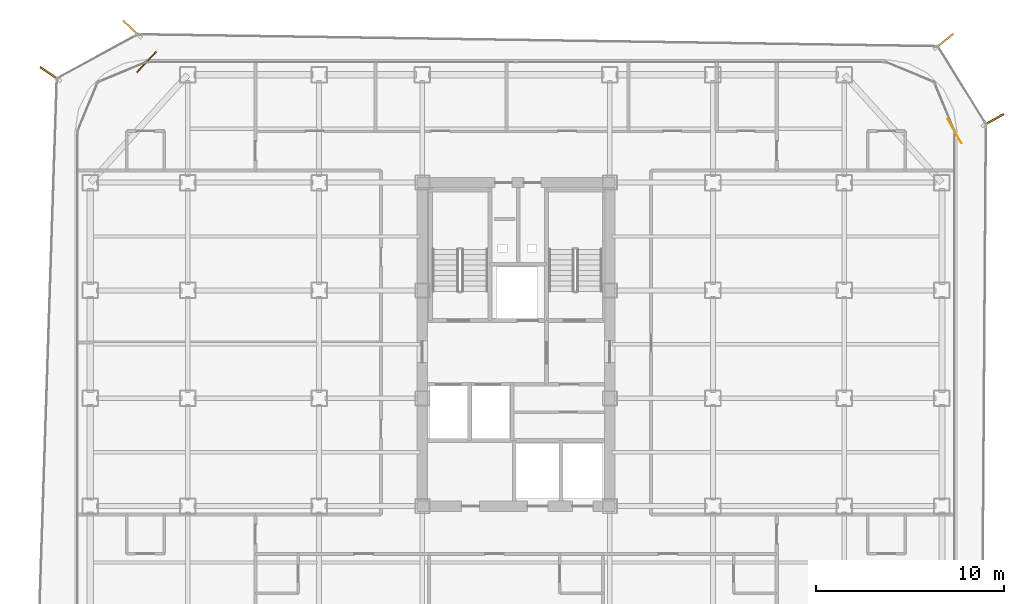
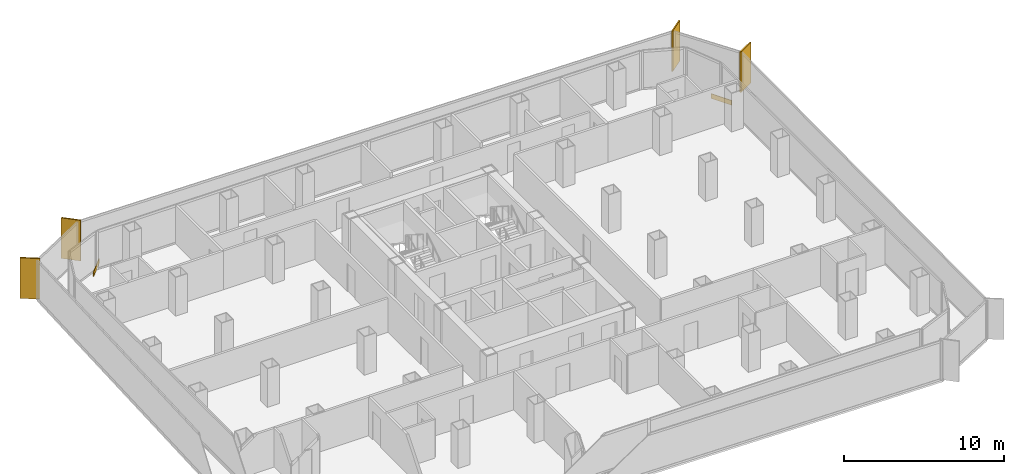
# One storey, part 21 of 21: 4 shading devices, 2 coverings.
"""IFC4 building model written with IfcOpenShell, lengths in metres."""

import ifcopenshell
import ifcopenshell.guid

model = None  # the IFC model being written
_history = None  # IfcOwnerHistory: only IFC2X3 demands one
_inside = {}  # id of a spatial element -> (the spatial element, [elements in it])
_under = {}  # id of a project, library or spatial element -> (it, [spatial elements below it])
_declared = {}  # id of a project -> (the project, [libraries it declares])
_typed = {}  # id of a type object -> (the type object, [elements of that type])
_made_of = {}  # id of a material, layer set ... -> (it, [elements and type objects made of it])


def new_model(schema):
    """Start an empty IFC model of exactly this schema.

    Asked for "IFC4X3", IfcOpenShell would pick the latest addendum, in which some entities
    have other attributes; the version numbers below select the first issue.
    IFC2X3 requires an IfcOwnerHistory on every rooted entity: one is made here for all.
    """
    global model, _history
    if schema == "IFC4X3":
        model = ifcopenshell.file(schema_version=(4, 3, 0, 0))
    else:
        model = ifcopenshell.file(schema=schema)
    _inside.clear()
    _under.clear()
    _declared.clear()
    _typed.clear()
    _made_of.clear()
    _history = None
    if model.schema == "IFC2X3":
        org = make("IfcOrganization", Name="unknown")
        user = make(
            "IfcPersonAndOrganization",
            ThePerson=make("IfcPerson", FamilyName="unknown"),
            TheOrganization=org,
        )
        app = make(
            "IfcApplication",
            ApplicationDeveloper=org,
            Version="unknown",
            ApplicationFullName="unknown",
            ApplicationIdentifier="unknown",
        )
        _history = make(
            "IfcOwnerHistory",
            OwningUser=user,
            OwningApplication=app,
            ChangeAction="ADDED",
            CreationDate=0,
        )
    return model


def make(cls, **values):
    """One entity of the class cls with the attributes given. An attribute that is None is left unset."""
    return model.create_entity(
        cls, **{name: value for name, value in values.items() if value is not None}
    )


def rooted(cls, **values):
    """An entity with a GlobalId (a new one), such as an element, a storey or a relation."""
    return make(cls, GlobalId=ifcopenshell.guid.new(), OwnerHistory=_history, **values)


def si_unit(unit_type, name, prefix=None):
    """IfcSIUnit, for example si_unit("LENGTHUNIT", "METRE", prefix="MILLI")."""
    return make("IfcSIUnit", UnitType=unit_type, Prefix=prefix, Name=name)


def assignment(units):
    """IfcUnitAssignment: the units of a project."""
    return None if units is None else make("IfcUnitAssignment", Units=units)


def point(xyz):
    """IfcCartesianPoint."""
    return None if xyz is None else make("IfcCartesianPoint", Coordinates=xyz)


def direction(xyz):
    """IfcDirection."""
    return None if xyz is None else make("IfcDirection", DirectionRatios=xyz)


def frame(location, z_axis=None, x_axis=None):
    """IfcAxis2Placement3D, a coordinate frame: its origin and axes. An axis left out is left unset."""
    return make(
        "IfcAxis2Placement3D",
        Location=point(location),
        Axis=direction(z_axis),
        RefDirection=direction(x_axis),
    )


def frame_2d(location, x_axis=None):
    """IfcAxis2Placement2D, a coordinate frame in the plane: its origin and x axis."""
    return make(
        "IfcAxis2Placement2D", Location=point(location), RefDirection=direction(x_axis)
    )


def origin():
    """The frame at (0, 0, 0) with its axes left unset."""
    return frame((0.0, 0.0, 0.0))


def origin_2d():
    """The frame at (0, 0) in the plane with its x axis left unset."""
    return frame_2d((0.0, 0.0))


def place(relative_to, where):
    """IfcLocalPlacement: puts the frame where relative to a parent placement (None: the world)."""
    return make(
        "IfcLocalPlacement", PlacementRelTo=relative_to, RelativePlacement=where
    )


def context(
    kind, dimensions, precision=None, world=None, true_north=None, identifier=None
):
    """IfcGeometricRepresentationContext, for example the 3D "Model" context."""
    return make(
        "IfcGeometricRepresentationContext",
        ContextIdentifier=identifier,
        ContextType=kind,
        CoordinateSpaceDimension=dimensions,
        Precision=precision,
        WorldCoordinateSystem=world,
        TrueNorth=true_north,
    )


def subcontext(parent, identifier, kind, view, scale=None):
    """IfcGeometricRepresentationSubContext, for example "Body" below "Model"."""
    return make(
        "IfcGeometricRepresentationSubContext",
        ContextIdentifier=identifier,
        ContextType=kind,
        ParentContext=parent,
        TargetScale=scale,
        TargetView=view,
    )


def project(units=None, contexts=None):
    """IfcProject with its units and contexts."""
    return rooted(
        "IfcProject",
        Name="project",
        RepresentationContexts=contexts,
        UnitsInContext=assignment(units),
    )


def spatial(cls, under=None, at=None, **own):
    """A site, building, storey or space (cls), placed at a placement, below another one or the project."""
    s = rooted(cls, ObjectPlacement=at, **own)
    if under is not None:
        _under.setdefault(under.id(), (under, []))[1].append(s)
    return s


def profile(cls, at=None, kind="AREA", **sizes):
    """A parametric profile (cls). Its sizes go by their IFC names, for example OverallWidth=200.0."""
    return make(cls, ProfileType=kind, Position=at, **sizes)


def rectangle(**sizes):
    """IfcRectangleProfileDef."""
    return profile("IfcRectangleProfileDef", **sizes)


def extrude(swept, where, along, depth):
    """IfcExtrudedAreaSolid: the profile swept, set in the frame where, extruded along a direction by depth."""
    return make(
        "IfcExtrudedAreaSolid",
        SweptArea=swept,
        Position=where,
        ExtrudedDirection=direction(along),
        Depth=depth,
    )


def shape(context_of_items, identifier, shape_type, items):
    """IfcShapeRepresentation: the items that make up one representation, for example the "Body"."""
    return make(
        "IfcShapeRepresentation",
        ContextOfItems=context_of_items,
        RepresentationIdentifier=identifier,
        RepresentationType=shape_type,
        Items=items,
    )


def source(mapping_origin, context_of_items, identifier, shape_type, items):
    """IfcRepresentationMap: a shape defined once, which mapped items show again and again."""
    return make(
        "IfcRepresentationMap",
        MappingOrigin=mapping_origin,
        MappedRepresentation=shape(context_of_items, identifier, shape_type, items),
    )


def transform(
    local_origin,
    x_axis=None,
    y_axis=None,
    z_axis=None,
    scale=None,
    scale2=None,
    scale3=None,
    uniform=True,
):
    """IfcCartesianTransformationOperator3D, or its non-uniform kind. x_axis, y_axis, z_axis: its Axis1, 2, 3."""
    if uniform:
        return make(
            "IfcCartesianTransformationOperator3D",
            Axis1=direction(x_axis),
            Axis2=direction(y_axis),
            LocalOrigin=point(local_origin),
            Scale=scale,
            Axis3=direction(z_axis),
        )
    return make(
        "IfcCartesianTransformationOperator3DnonUniform",
        Axis1=direction(x_axis),
        Axis2=direction(y_axis),
        LocalOrigin=point(local_origin),
        Scale=scale,
        Axis3=direction(z_axis),
        Scale2=scale2,
        Scale3=scale3,
    )


def mapped(mapping_source, mapping_target):
    """IfcMappedItem: shows the shape of a source again, moved by a transform."""
    return make(
        "IfcMappedItem", MappingSource=mapping_source, MappingTarget=mapping_target
    )


def material(Name=None, Category=None):
    """IfcMaterial."""
    return make("IfcMaterial", Name=Name, Category=Category)


def layer(
    of_material, thickness, ventilated=None, Name=None, Category=None, Priority=None
):
    """IfcMaterialLayer: one layer of a wall or slab, of a material (None: an air gap)."""
    return make(
        "IfcMaterialLayer",
        Material=of_material,
        LayerThickness=thickness,
        IsVentilated=ventilated,
        Name=Name,
        Category=Category,
        Priority=Priority,
    )


def layer_set(layers, Name=None):
    """IfcMaterialLayerSet."""
    return make("IfcMaterialLayerSet", MaterialLayers=layers, LayerSetName=Name)


def made_of(thing, what):
    """Note that an element or type object is made of a material, layer set ...; save() writes the relation."""
    if what is not None:
        _made_of.setdefault(what.id(), (what, []))[1].append(thing)
    return thing


def type_object(cls, material=None, **own):
    """A type object (cls), such as IfcWallType, which elements share."""
    return made_of(rooted(cls, **own), material)


def element(
    cls,
    number,
    at=None,
    inside=None,
    cuts=None,
    type_object=None,
    material=None,
    context=None,
    identifier="Body",
    shape_type=None,
    held_by="IfcProductDefinitionShape",
    body=None,
    shapes=None,
    **own,
):
    """One element of the class cls, such as IfcWall. Its Tag is "e" and its number.

    at: its placement. inside: the storey or other place that contains it. cuts: it is an
    opening in that element (IfcRelVoidsElement). A single representation is given by context,
    identifier, shape_type and body (its items); several are given by shapes. held_by: the class
    of the entity that holds the representations. save() writes the other relations.
    """
    e = rooted(cls, Tag="e%d" % number, ObjectPlacement=at, **own)
    if body is not None:
        shapes = [shape(context, identifier, shape_type, body)]
    if shapes is not None:
        e.Representation = make(held_by, Representations=shapes)
    if inside is not None:
        _inside.setdefault(inside.id(), (inside, []))[1].append(e)
    if cuts is not None:
        rooted(
            "IfcRelVoidsElement", RelatingBuildingElement=cuts, RelatedOpeningElement=e
        )
    if type_object is not None:
        _typed.setdefault(type_object.id(), (type_object, []))[1].append(e)
    return made_of(e, material)


def aggregate(whole, parts):
    """IfcRelAggregates: a whole, such as a stair, and the parts it consists of."""
    return rooted("IfcRelAggregates", RelatingObject=whole, RelatedObjects=parts)


def save(model, path):
    """Write the relations noted so far, then the file.

    IfcRelAggregates (storeys below a building ...), IfcRelContainedInSpatialStructure (elements
    in a storey), IfcRelDefinesByType, IfcRelAssociatesMaterial and IfcRelDeclares: one each for
    every whole, place, type object, material and project.
    """
    for whole, parts in _under.values():
        aggregate(whole, parts)
    for where, things in _inside.values():
        rooted(
            "IfcRelContainedInSpatialStructure",
            RelatedElements=things,
            RelatingStructure=where,
        )
    for kind, things in _typed.values():
        rooted("IfcRelDefinesByType", RelatedObjects=things, RelatingType=kind)
    for what, things in _made_of.values():
        rooted("IfcRelAssociatesMaterial", RelatedObjects=things, RelatingMaterial=what)
    for by, libraries in _declared.values():
        rooted("IfcRelDeclares", RelatingContext=by, RelatedDefinitions=libraries)
    model.write(path)


model = new_model("IFC4")

# Units and contexts
model_context = context("Model", 3, precision=1e-05, world=origin(), true_north=direction((0.0, 1.0)))
body_context = subcontext(model_context, "Body", "Model", "MODEL_VIEW")
ifc_project = project(units=[si_unit("LENGTHUNIT", "METRE"), si_unit("AREAUNIT", "SQUARE_METRE"), si_unit("VOLUMEUNIT", "CUBIC_METRE"), si_unit("PLANEANGLEUNIT", "RADIAN"), si_unit("MASSUNIT", "GRAM", prefix="KILO")], contexts=[model_context])

# Site, building, storey
site_placement = place(None, origin())
site = spatial("IfcSite", under=ifc_project, at=site_placement, CompositionType="ELEMENT")
building_placement = place(site_placement, origin())
building = spatial("IfcBuilding", under=site, at=building_placement, Name="Kolveth Station Tower", CompositionType="ELEMENT")
storey_placement = place(building_placement, frame((0.0, 0.0, 127.89990234375)))
storey = spatial("IfcBuildingStorey", under=building, at=storey_placement, Name="L35", CompositionType="ELEMENT", Elevation=127.89990234375)

# Shading devices
ifc_material_1 = material(Name="Black anodized aluminium 6063-T6", Category="aluminium")
shading_device_type = type_object("IfcShadingDeviceType", Name="FIN_VF1", PredefinedType="USERDEFINED", material=ifc_material_1)
shared_shape_1 = source(origin(), body_context, "Body", "SweptSolid", [
    extrude(rectangle(XDim=1.25, YDim=0.090087890625, at=origin_2d()), origin(), (0.0, 0.0, 1.0), 3.10009765625),
])
for number, where, z_axis, x_axis, name in (
    (1, (48.950927734375, 32.097900390625, 0.0), (0.0, 0.0, 1.0), (0.869667294767, 0.493638325511, 0.0), "L35 Dark-Aluminium Solar Fin 3"),
    (2, (46.340087890625, 36.300048828125, 0.0), (0.0, 0.0, 1.0), (0.774613452723, 0.632434975995, 0.0), "L35 Dark-Aluminium Solar Fin 4"),
    (3, (3.008056640625, 36.95703125, 0.0), (0.0, 0.0, 1.0), (-0.727892444455, 0.685691322174, 0.0), "L35 Dark-Aluminium Solar Fin 5"),
    (4, (-1.35107421875, 34.551025390625, 0.0), (0.0, 0.0, 1.0), (-0.826884319778, 0.562372049186, 0.0), "L35 Dark-Aluminium Solar Fin 6"),
):
    element("IfcShadingDevice", number, at=place(storey_placement, frame(where, z_axis=z_axis, x_axis=x_axis)), inside=storey, type_object=shading_device_type, Name=name, ObjectType="FIN", PredefinedType="USERDEFINED", context=body_context, shape_type="MappedRepresentation", body=[
        mapped(shared_shape_1, transform((0.0, 0.0, 0.0), x_axis=(1.0, 0.0, 0.0), y_axis=(0.0, 1.0, 0.0), z_axis=(0.0, 0.0, 1.0), scale=1.0)),
    ])

# Coverings
ifc_material_2 = material(Name="Charcoal anodized aluminium spandrel cladding", Category="aluminium")
ifc_layer = layer(ifc_material_2, 0.044921875)
ifc_layer_set = layer_set([ifc_layer], Name="Charcoal anodized aluminium spandrel cladding")
covering_type = type_object("IfcCoveringType", Name="Clad_CD1", PredefinedType="CLADDING", material=ifc_layer_set)
shared_shape_2 = source(origin(), body_context, "Body", "SweptSolid", [
    extrude(rectangle(XDim=1.5, YDim=0.044921875, at=origin_2d()), origin(), (0.0, 0.0, 1.0), 0.360107421875),
])
for number, where, z_axis, x_axis, name in (
    (5, (46.8798828125, 31.5, 0.0), (0.0, 0.0, 1.0), (-0.493638325511, 0.869667294767, 0.0), "L35 Spandrel Edge Cladding 3"),
    (6, (3.800048828125, 35.179931640625, 0.0), (0.0, 0.0, 1.0), (-0.685691322174, -0.727892444455, 0.0), "L35 Spandrel Edge Cladding 5"),
):
    element("IfcCovering", number, at=place(storey_placement, frame(where, z_axis=z_axis, x_axis=x_axis)), inside=storey, type_object=covering_type, Name=name, PredefinedType="CLADDING", context=body_context, shape_type="MappedRepresentation", body=[
        mapped(shared_shape_2, transform((0.0, 0.0, 0.0), x_axis=(1.0, 0.0, 0.0), y_axis=(0.0, 1.0, 0.0), z_axis=(0.0, 0.0, 1.0), scale=1.0)),
    ])

save(model, "model.ifc")
